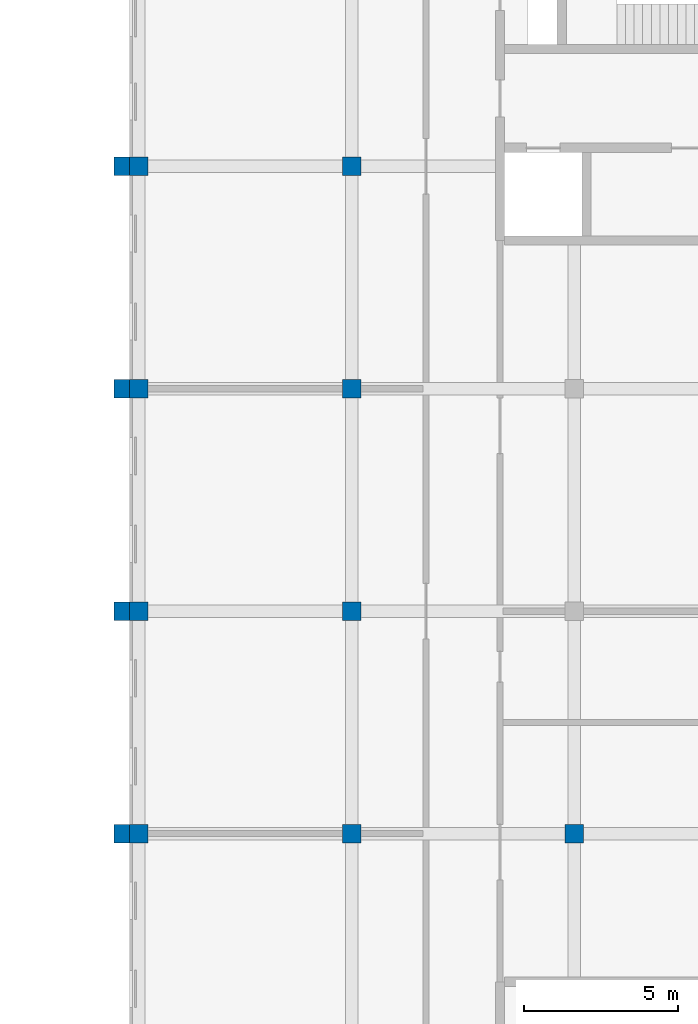
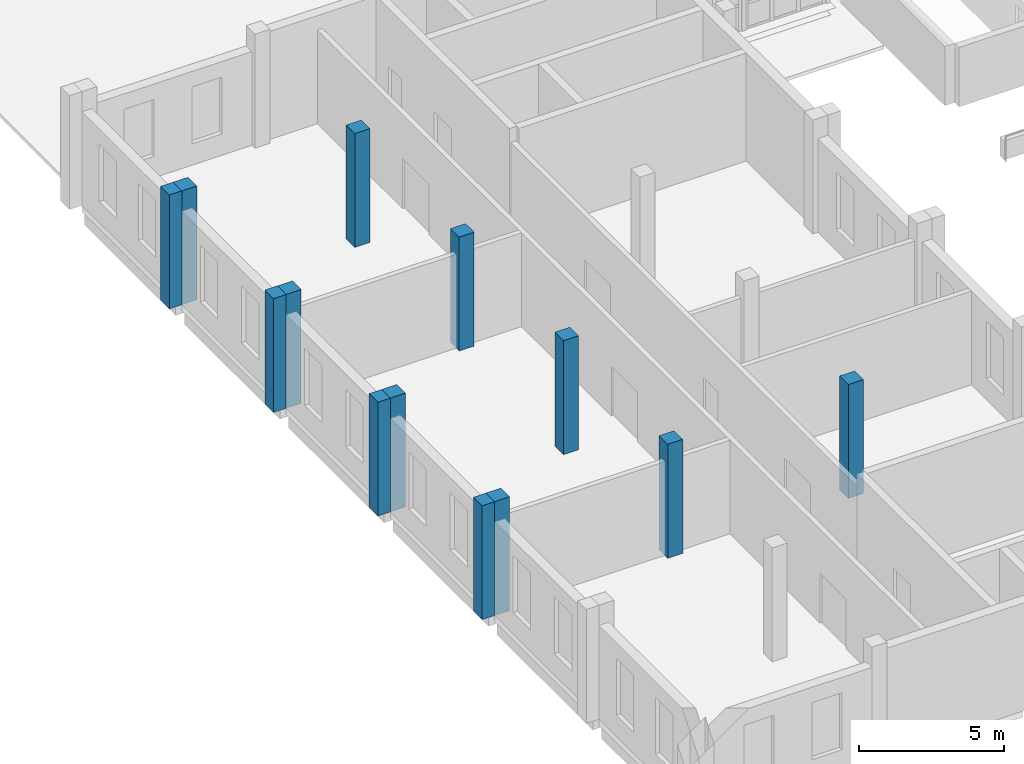
# One storey, part 14 of 131: 13 columns.
"""IFC4 building model written with IfcOpenShell, lengths in metres."""

from ifc_helpers import new_model, si_unit, direction, frame, origin, origin_2d, place, context, subcontext, project, spatial, rectangle, extrude, material, material_profile, profile_set, type_object, element, save


model = new_model("IFC4")

# Units and contexts
model_context = context("Model", 3, precision=1e-05, world=origin(), true_north=direction((0.0, 1.0)))
body_context = subcontext(model_context, "Body", "Model", "MODEL_VIEW")
ifc_project = project(units=[si_unit("LENGTHUNIT", "METRE"), si_unit("AREAUNIT", "SQUARE_METRE"), si_unit("VOLUMEUNIT", "CUBIC_METRE"), si_unit("PLANEANGLEUNIT", "RADIAN"), si_unit("MASSUNIT", "GRAM", prefix="KILO")], contexts=[model_context])

# Site, building, storey
site_placement = place(None, origin())
site = spatial("IfcSite", under=ifc_project, at=site_placement, CompositionType="ELEMENT")
building_placement = place(site_placement, origin())
building = spatial("IfcBuilding", under=site, at=building_placement, Name="Alderwick Market Hall", CompositionType="ELEMENT")
storey_placement = place(building_placement, frame((0.0, 0.0, 4.800048828125)))
storey = spatial("IfcBuildingStorey", under=building, at=storey_placement, Name="L00", CompositionType="ELEMENT", Elevation=4.800048828125)

# Columns
ifc_material_1 = material(Name="Concrete 5000 psi (f'c 35 MPa)", Category="concrete")
ifc_material_profile_1 = material_profile(ifc_material_1, rectangle(XDim=0.5, YDim=0.60009765625, at=origin_2d()), Name="B Pilaster 500x600")
ifc_profile_set_1 = profile_set([ifc_material_profile_1], Name="Concrete 5000 psi (f'c 35 MPa)")
column_type_1 = type_object("IfcColumnType", Name="B Pilaster 500x600", PredefinedType="COLUMN", material=ifc_profile_set_1)
for number, where, z_axis, x_axis, name in (
    (1, (21.35009765625, 100.800048828125, 0.0), (0.0, 0.0, 1.0), (1.0, 0.0, 0.0), "Pilaster W03"),
    (2, (21.35009765625, 108.0, 0.0), (0.0, 0.0, 1.0), (1.0, 0.0, 0.0), "Pilaster W04"),
    (3, (21.35009765625, 115.199951171875, 0.0), (0.0, 0.0, 1.0), (1.0, 0.0, 0.0), "Pilaster W05"),
    (4, (21.35009765625, 122.39990234375, 0.0), (0.0, 0.0, 1.0), (1.0, 0.0, 0.0), "Pilaster W06"),
):
    element("IfcColumn", number, at=place(storey_placement, frame(where, z_axis=z_axis, x_axis=x_axis)), inside=storey, type_object=column_type_1, Name=name, PredefinedType="COLUMN", context=body_context, shape_type="SweptSolid", body=[
        extrude(rectangle(XDim=0.5, YDim=0.60009765625, at=origin_2d()), origin(), (0.0, 0.0, 1.0), 4.800048828125),
    ])
ifc_material_2 = material(Name="Precast concrete 6000 psi (f'c 42 MPa)", Category="concrete")
ifc_material_profile_2 = material_profile(ifc_material_2, rectangle(XDim=0.60009765625, YDim=0.60009765625, at=origin_2d()), Name="B Precast Pier 600x600")
ifc_profile_set_2 = profile_set([ifc_material_profile_2], Name="Precast concrete 6000 psi (f'c 42 MPa)")
column_type_2 = type_object("IfcColumnType", Name="B Precast Pier 600x600", PredefinedType="COLUMN", material=ifc_profile_set_2)
for number, where, z_axis, x_axis, name in (
    (5, (21.89990234375, 122.39990234375, 0.0), (0.0, 0.0, 1.0), (1.0, 0.0, 0.0), "B.N.col.L00.003-072"),
    (6, (21.89990234375, 115.199951171875, 0.0), (0.0, 0.0, 1.0), (1.0, 0.0, 0.0), "B.N.col.L00.003-144"),
    (7, (21.89990234375, 108.0, 0.0), (0.0, 0.0, 1.0), (1.0, 0.0, 0.0), "B.N.col.L00.003-216"),
    (8, (21.89990234375, 100.800048828125, 0.0), (0.0, 0.0, 1.0), (1.0, 0.0, 0.0), "B.N.col.L00.003-288"),
):
    element("IfcColumn", number, at=place(storey_placement, frame(where, z_axis=z_axis, x_axis=x_axis)), inside=storey, type_object=column_type_2, Name=name, PredefinedType="COLUMN", context=body_context, shape_type="SweptSolid", body=[
        extrude(rectangle(XDim=0.60009765625, YDim=0.60009765625, at=origin_2d()), origin(), (0.0, 0.0, 1.0), 4.800048828125),
    ])
ifc_material_profile_3 = material_profile(ifc_material_1, rectangle(XDim=0.60009765625, YDim=0.60009765625, at=origin_2d()), Name="B RC Column 600x600")
ifc_profile_set_3 = profile_set([ifc_material_profile_3], Name="Concrete 5000 psi (f'c 35 MPa)")
column_type_3 = type_object("IfcColumnType", Name="B RC Column 600x600", PredefinedType="COLUMN", material=ifc_profile_set_3)
for number, where, z_axis, x_axis, name in (
    (9, (28.800048828125, 122.39990234375, 0.0), (0.0, 0.0, 1.0), (1.0, 0.0, 0.0), "B.N.col.L00.072-072"),
    (10, (28.800048828125, 115.199951171875, 0.0), (0.0, 0.0, 1.0), (1.0, 0.0, 0.0), "B.N.col.L00.072-144"),
    (11, (28.800048828125, 108.0, 0.0), (0.0, 0.0, 1.0), (1.0, 0.0, 0.0), "B.N.col.L00.072-216"),
    (12, (28.800048828125, 100.800048828125, 0.0), (0.0, 0.0, 1.0), (1.0, 0.0, 0.0), "B.N.col.L00.072-288"),
    (13, (36.0, 100.800048828125, 0.0), (0.0, 0.0, 1.0), (1.0, 0.0, 0.0), "B.N.col.L00.144-288"),
):
    element("IfcColumn", number, at=place(storey_placement, frame(where, z_axis=z_axis, x_axis=x_axis)), inside=storey, type_object=column_type_3, Name=name, PredefinedType="COLUMN", context=body_context, shape_type="SweptSolid", body=[
        extrude(rectangle(XDim=0.60009765625, YDim=0.60009765625, at=origin_2d()), origin(), (0.0, 0.0, 1.0), 4.800048828125),
    ])

save(model, "model.ifc")
